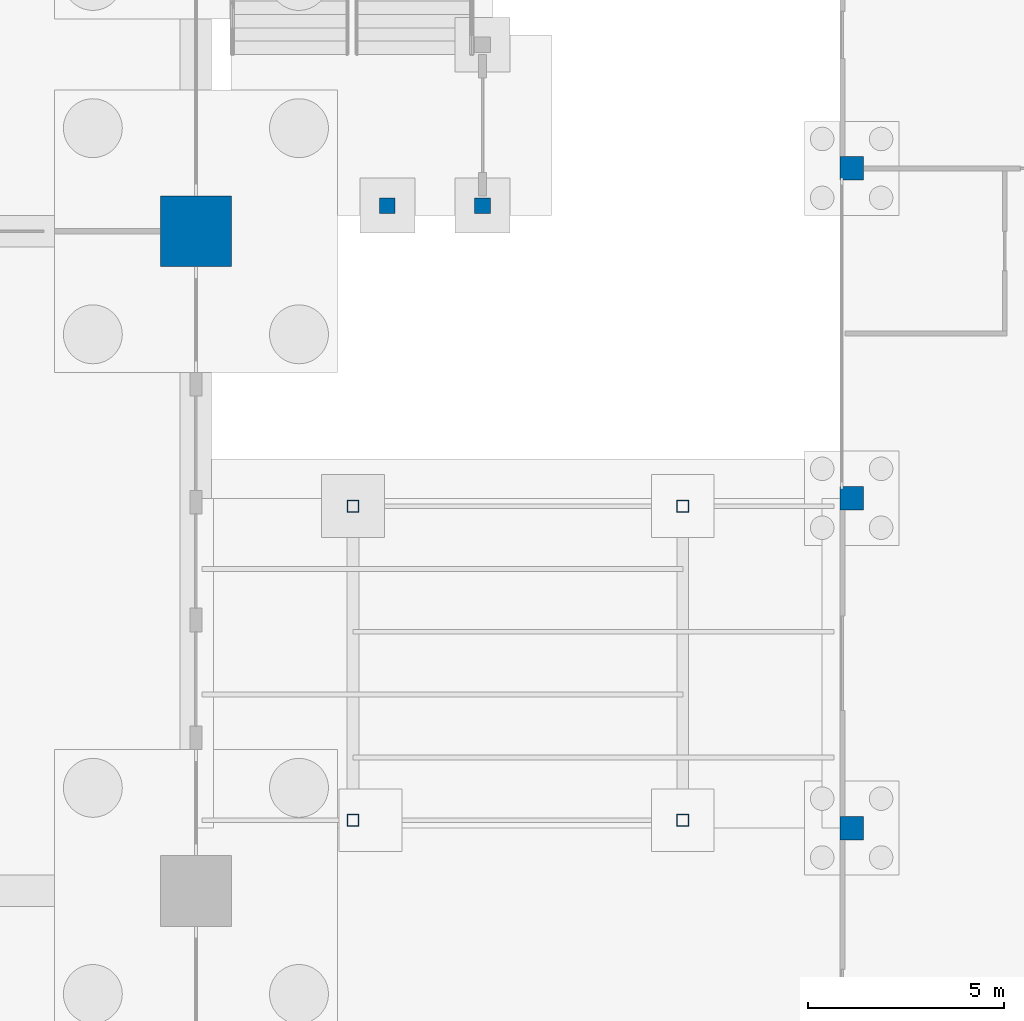
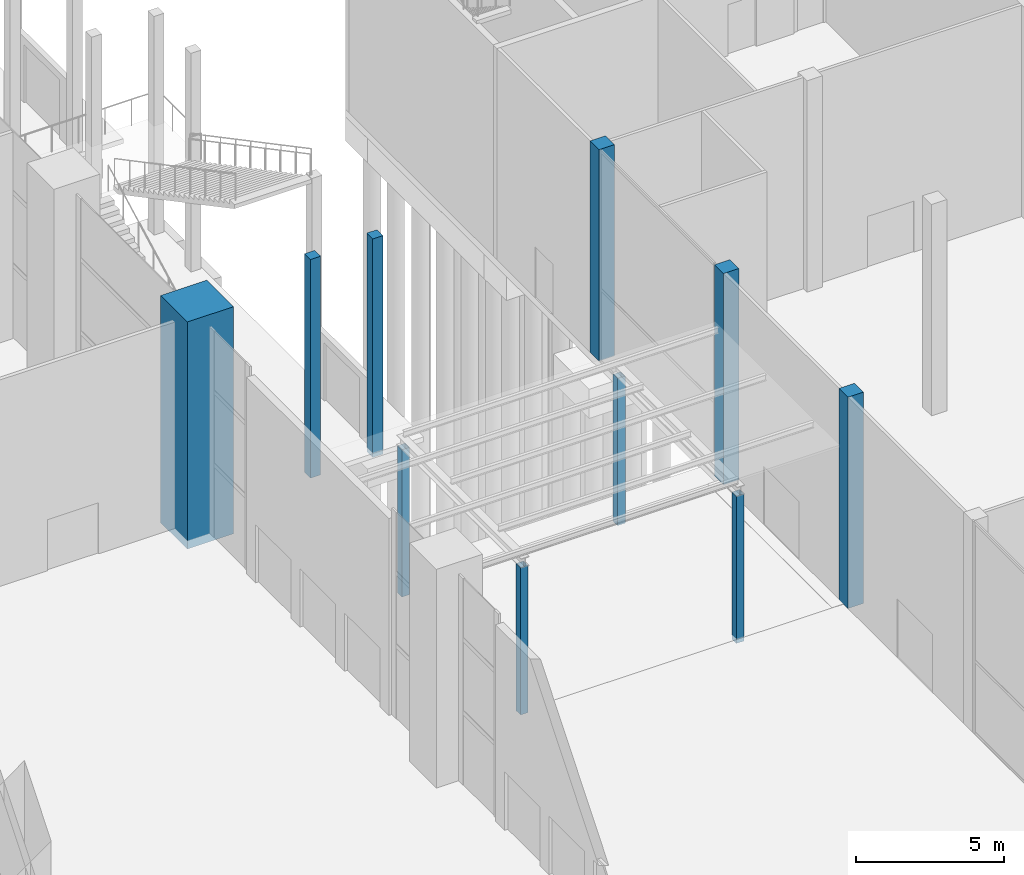
# One storey, part 8 of 72: 10 columns.
"""IFC4 building model written with IfcOpenShell, lengths in metres."""

from ifc_helpers import new_model, si_unit, direction, frame, origin, origin_2d, place, context, subcontext, project, spatial, rectangle, hollow_rectangle, extrude, material, material_profile, profile_set, type_object, element, save


model = new_model("IFC4")

# Units and contexts
model_context = context("Model", 3, precision=1e-05, world=origin(), true_north=direction((0.0, 1.0)))
body_context = subcontext(model_context, "Body", "Model", "MODEL_VIEW")
ifc_project = project(units=[si_unit("LENGTHUNIT", "METRE"), si_unit("AREAUNIT", "SQUARE_METRE"), si_unit("VOLUMEUNIT", "CUBIC_METRE"), si_unit("PLANEANGLEUNIT", "RADIAN"), si_unit("MASSUNIT", "GRAM", prefix="KILO")], contexts=[model_context])

# Site, building, storey
site_placement = place(None, origin())
site = spatial("IfcSite", under=ifc_project, at=site_placement, CompositionType="ELEMENT")
building_placement = place(site_placement, origin())
building = spatial("IfcBuilding", under=site, at=building_placement, Name="Candeia Pilgrim Tower and Theatre", CompositionType="ELEMENT")
storey_placement = place(building_placement, origin())
storey = spatial("IfcBuildingStorey", under=building, at=storey_placement, Name="L00", CompositionType="ELEMENT", Elevation=0.0)

# Columns
ifc_material_1 = material(Name="Steel S355", Category="steel")
ifc_material_profile_1 = material_profile(ifc_material_1, hollow_rectangle(XDim=0.300048828125, YDim=0.300048828125, WallThickness=0.012451171875, at=origin_2d()))
ifc_profile_set_1 = profile_set([ifc_material_profile_1], Name="Steel S355")
column_type_1 = type_object("IfcColumnType", Name="Arcade column SHS 300x300x12.5", PredefinedType="COLUMN", material=ifc_profile_set_1)
for number, where, z_axis, x_axis, name in (
    (1, (163.60009765625, 83.0, -0.199951171875), (0.0, 0.0, 1.0), (1.0, 0.0, 0.0), "Arcade column 1"),
    (2, (163.60009765625, 91.0, -0.199951171875), (0.0, 0.0, 1.0), (1.0, 0.0, 0.0), "Arcade column 2"),
    (3, (172.0, 83.0, -0.199951171875), (0.0, 0.0, 1.0), (1.0, 0.0, 0.0), "Arcade column 3"),
    (4, (172.0, 91.0, -0.199951171875), (0.0, 0.0, 1.0), (1.0, 0.0, 0.0), "Arcade column 4"),
):
    element("IfcColumn", number, at=place(storey_placement, frame(where, z_axis=z_axis, x_axis=x_axis)), inside=storey, type_object=column_type_1, Name=name, PredefinedType="COLUMN", context=body_context, shape_type="SweptSolid", body=[
        extrude(hollow_rectangle(XDim=0.300048828125, YDim=0.300048828125, WallThickness=0.012451171875, at=origin_2d()), origin(), (0.0, 0.0, 1.0), 6.06005859375),
    ])
ifc_material_2 = material(Name="Concrete C40/50", Category="concrete")
ifc_material_profile_2 = material_profile(ifc_material_2, rectangle(XDim=0.39990234375, YDim=0.39990234375, at=origin_2d()))
ifc_profile_set_2 = profile_set([ifc_material_profile_2], Name="Concrete C40/50")
column_type_2 = type_object("IfcColumnType", Name="Escape stair column RC 400x400", PredefinedType="COLUMN", material=ifc_profile_set_2)
for number, where, z_axis, x_axis, name in (
    (5, (166.89990234375, 98.64990234375, -0.199951171875), (0.0, 0.0, 1.0), (1.0, 0.0, 0.0), "External escape stair ES1 column N1.1"),
    (6, (164.47509765625, 98.64990234375, -0.199951171875), (0.0, 0.0, 1.0), (1.0, 0.0, 0.0), "External escape stair ES1 column N3.1"),
):
    element("IfcColumn", number, at=place(storey_placement, frame(where, z_axis=z_axis, x_axis=x_axis)), inside=storey, type_object=column_type_2, Name=name, PredefinedType="COLUMN", context=body_context, shape_type="SweptSolid", body=[
        extrude(rectangle(XDim=0.39990234375, YDim=0.39990234375, at=origin_2d()), origin(), (0.0, 0.0, 1.0), 9.0),
    ])
ifc_material_3 = material(Name="Concrete C80/95", Category="concrete")
ifc_material_profile_3 = material_profile(ifc_material_3, rectangle(XDim=1.800048828125, YDim=1.800048828125, at=origin_2d()))
ifc_profile_set_3 = profile_set([ifc_material_profile_3], Name="Concrete C80/95")
column_type_3 = type_object("IfcColumnType", Name="RC 1800x1800 C80/95", PredefinedType="COLUMN", material=ifc_profile_set_3)
column_placement = place(storey_placement, frame((159.60009765625, 98.0, -0.35009765625), z_axis=(0.0, 0.0, 1.0), x_axis=(1.0, 0.0, 0.0)))
element("IfcColumn", 7, at=column_placement, inside=storey, type_object=column_type_3, Name="Column P+0756+0000", PredefinedType="COLUMN", context=body_context, shape_type="SweptSolid", body=[
    extrude(rectangle(XDim=1.800048828125, YDim=1.800048828125, at=origin_2d()), origin(), (0.0, 0.0, 1.0), 9.35009765625),
])
ifc_material_profile_4 = material_profile(ifc_material_2, rectangle(XDim=0.60009765625, YDim=0.60009765625, at=origin_2d()))
ifc_profile_set_4 = profile_set([ifc_material_profile_4], Name="Concrete C40/50")
column_type_4 = type_object("IfcColumnType", Name="Theatre column 600x600", PredefinedType="COLUMN", material=ifc_profile_set_4)
for number, where, z_axis, x_axis, name in (
    (8, (176.300048828125, 82.800048828125, 0.0), (0.0, 0.0, 1.0), (1.0, 0.0, 0.0), "Column TC-C1 L00"),
    (9, (176.300048828125, 91.199951171875, 0.0), (0.0, 0.0, 1.0), (1.0, 0.0, 0.0), "Column TC-D1 L00"),
    (10, (176.300048828125, 99.60009765625, 0.0), (0.0, 0.0, 1.0), (1.0, 0.0, 0.0), "Column TC-E1 L00"),
):
    element("IfcColumn", number, at=place(storey_placement, frame(where, z_axis=z_axis, x_axis=x_axis)), inside=storey, type_object=column_type_4, Name=name, PredefinedType="COLUMN", context=body_context, shape_type="SweptSolid", body=[
        extrude(rectangle(XDim=0.60009765625, YDim=0.60009765625, at=origin_2d()), origin(), (0.0, 0.0, 1.0), 8.699951171875),
    ])

save(model, "model.ifc")
